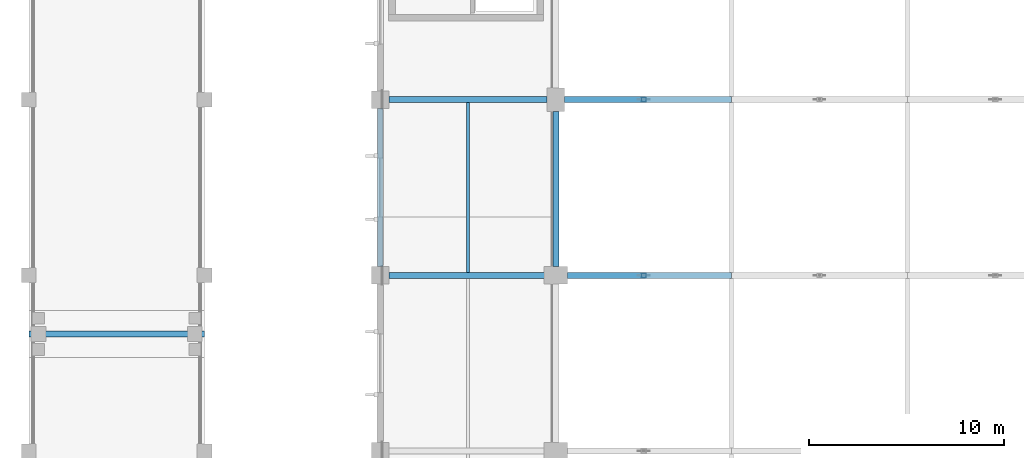
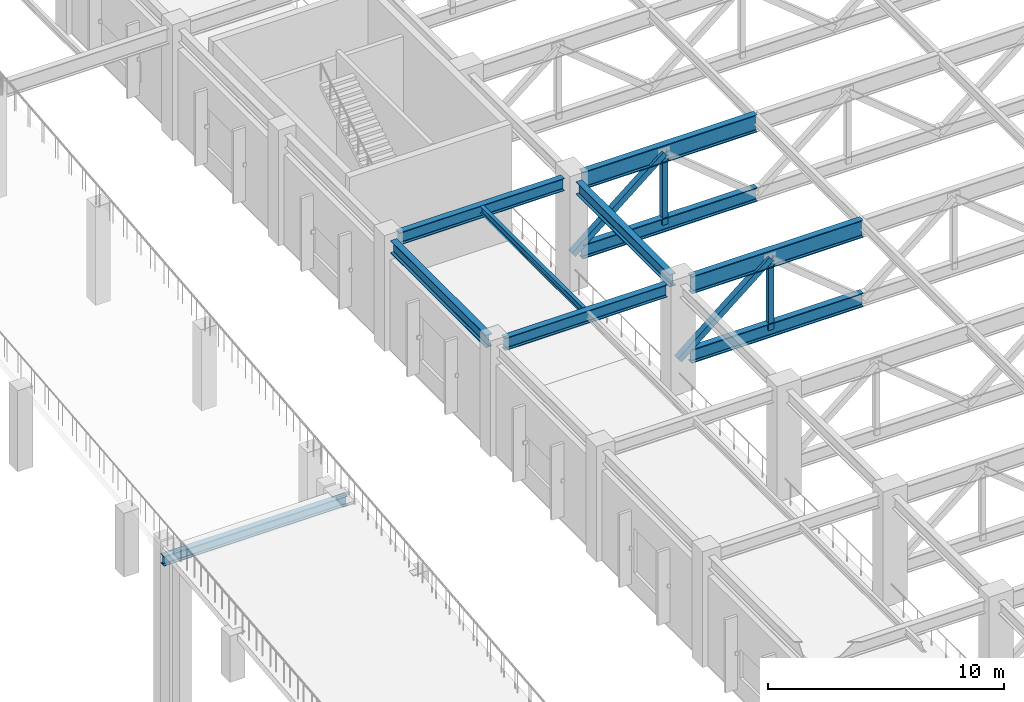
# One storey, part 19 of 223: 10 beams, 4 members.
"""IFC4 building model written with IfcOpenShell, lengths in metres."""

import ifcopenshell
import ifcopenshell.guid

model = None  # the IFC model being written
_history = None  # IfcOwnerHistory: only IFC2X3 demands one
_inside = {}  # id of a spatial element -> (the spatial element, [elements in it])
_under = {}  # id of a project, library or spatial element -> (it, [spatial elements below it])
_declared = {}  # id of a project -> (the project, [libraries it declares])
_typed = {}  # id of a type object -> (the type object, [elements of that type])
_made_of = {}  # id of a material, layer set ... -> (it, [elements and type objects made of it])


def new_model(schema):
    """Start an empty IFC model of exactly this schema.

    Asked for "IFC4X3", IfcOpenShell would pick the latest addendum, in which some entities
    have other attributes; the version numbers below select the first issue.
    IFC2X3 requires an IfcOwnerHistory on every rooted entity: one is made here for all.
    """
    global model, _history
    if schema == "IFC4X3":
        model = ifcopenshell.file(schema_version=(4, 3, 0, 0))
    else:
        model = ifcopenshell.file(schema=schema)
    _inside.clear()
    _under.clear()
    _declared.clear()
    _typed.clear()
    _made_of.clear()
    _history = None
    if model.schema == "IFC2X3":
        org = make("IfcOrganization", Name="unknown")
        user = make(
            "IfcPersonAndOrganization",
            ThePerson=make("IfcPerson", FamilyName="unknown"),
            TheOrganization=org,
        )
        app = make(
            "IfcApplication",
            ApplicationDeveloper=org,
            Version="unknown",
            ApplicationFullName="unknown",
            ApplicationIdentifier="unknown",
        )
        _history = make(
            "IfcOwnerHistory",
            OwningUser=user,
            OwningApplication=app,
            ChangeAction="ADDED",
            CreationDate=0,
        )
    return model


def make(cls, **values):
    """One entity of the class cls with the attributes given. An attribute that is None is left unset."""
    return model.create_entity(
        cls, **{name: value for name, value in values.items() if value is not None}
    )


def rooted(cls, **values):
    """An entity with a GlobalId (a new one), such as an element, a storey or a relation."""
    return make(cls, GlobalId=ifcopenshell.guid.new(), OwnerHistory=_history, **values)


def si_unit(unit_type, name, prefix=None):
    """IfcSIUnit, for example si_unit("LENGTHUNIT", "METRE", prefix="MILLI")."""
    return make("IfcSIUnit", UnitType=unit_type, Prefix=prefix, Name=name)


def assignment(units):
    """IfcUnitAssignment: the units of a project."""
    return None if units is None else make("IfcUnitAssignment", Units=units)


def point(xyz):
    """IfcCartesianPoint."""
    return None if xyz is None else make("IfcCartesianPoint", Coordinates=xyz)


def direction(xyz):
    """IfcDirection."""
    return None if xyz is None else make("IfcDirection", DirectionRatios=xyz)


def frame(location, z_axis=None, x_axis=None):
    """IfcAxis2Placement3D, a coordinate frame: its origin and axes. An axis left out is left unset."""
    return make(
        "IfcAxis2Placement3D",
        Location=point(location),
        Axis=direction(z_axis),
        RefDirection=direction(x_axis),
    )


def frame_2d(location, x_axis=None):
    """IfcAxis2Placement2D, a coordinate frame in the plane: its origin and x axis."""
    return make(
        "IfcAxis2Placement2D", Location=point(location), RefDirection=direction(x_axis)
    )


def origin():
    """The frame at (0, 0, 0) with its axes left unset."""
    return frame((0.0, 0.0, 0.0))


def origin_2d():
    """The frame at (0, 0) in the plane with its x axis left unset."""
    return frame_2d((0.0, 0.0))


def place(relative_to, where):
    """IfcLocalPlacement: puts the frame where relative to a parent placement (None: the world)."""
    return make(
        "IfcLocalPlacement", PlacementRelTo=relative_to, RelativePlacement=where
    )


def context(
    kind, dimensions, precision=None, world=None, true_north=None, identifier=None
):
    """IfcGeometricRepresentationContext, for example the 3D "Model" context."""
    return make(
        "IfcGeometricRepresentationContext",
        ContextIdentifier=identifier,
        ContextType=kind,
        CoordinateSpaceDimension=dimensions,
        Precision=precision,
        WorldCoordinateSystem=world,
        TrueNorth=true_north,
    )


def subcontext(parent, identifier, kind, view, scale=None):
    """IfcGeometricRepresentationSubContext, for example "Body" below "Model"."""
    return make(
        "IfcGeometricRepresentationSubContext",
        ContextIdentifier=identifier,
        ContextType=kind,
        ParentContext=parent,
        TargetScale=scale,
        TargetView=view,
    )


def project(units=None, contexts=None):
    """IfcProject with its units and contexts."""
    return rooted(
        "IfcProject",
        Name="project",
        RepresentationContexts=contexts,
        UnitsInContext=assignment(units),
    )


def spatial(cls, under=None, at=None, **own):
    """A site, building, storey or space (cls), placed at a placement, below another one or the project."""
    s = rooted(cls, ObjectPlacement=at, **own)
    if under is not None:
        _under.setdefault(under.id(), (under, []))[1].append(s)
    return s


def profile(cls, at=None, kind="AREA", **sizes):
    """A parametric profile (cls). Its sizes go by their IFC names, for example OverallWidth=200.0."""
    return make(cls, ProfileType=kind, Position=at, **sizes)


def hollow_rectangle(**sizes):
    """IfcRectangleHollowProfileDef."""
    return profile("IfcRectangleHollowProfileDef", **sizes)


def i_section(**sizes):
    """IfcIShapeProfileDef."""
    return profile("IfcIShapeProfileDef", **sizes)


def extrude(swept, where, along, depth):
    """IfcExtrudedAreaSolid: the profile swept, set in the frame where, extruded along a direction by depth."""
    return make(
        "IfcExtrudedAreaSolid",
        SweptArea=swept,
        Position=where,
        ExtrudedDirection=direction(along),
        Depth=depth,
    )


def shape(context_of_items, identifier, shape_type, items):
    """IfcShapeRepresentation: the items that make up one representation, for example the "Body"."""
    return make(
        "IfcShapeRepresentation",
        ContextOfItems=context_of_items,
        RepresentationIdentifier=identifier,
        RepresentationType=shape_type,
        Items=items,
    )


def material(Name=None, Category=None):
    """IfcMaterial."""
    return make("IfcMaterial", Name=Name, Category=Category)


def material_profile(
    of_material, cross_section, Name=None, Category=None, Priority=None
):
    """IfcMaterialProfile: a cross section and its material."""
    return make(
        "IfcMaterialProfile",
        Name=Name,
        Material=of_material,
        Profile=cross_section,
        Priority=Priority,
        Category=Category,
    )


def profile_set(profiles, Name=None, composite=None):
    """IfcMaterialProfileSet."""
    return make(
        "IfcMaterialProfileSet",
        Name=Name,
        MaterialProfiles=profiles,
        CompositeProfile=composite,
    )


def made_of(thing, what):
    """Note that an element or type object is made of a material, layer set ...; save() writes the relation."""
    if what is not None:
        _made_of.setdefault(what.id(), (what, []))[1].append(thing)
    return thing


def type_object(cls, material=None, **own):
    """A type object (cls), such as IfcWallType, which elements share."""
    return made_of(rooted(cls, **own), material)


def element(
    cls,
    number,
    at=None,
    inside=None,
    cuts=None,
    type_object=None,
    material=None,
    context=None,
    identifier="Body",
    shape_type=None,
    held_by="IfcProductDefinitionShape",
    body=None,
    shapes=None,
    **own,
):
    """One element of the class cls, such as IfcWall. Its Tag is "e" and its number.

    at: its placement. inside: the storey or other place that contains it. cuts: it is an
    opening in that element (IfcRelVoidsElement). A single representation is given by context,
    identifier, shape_type and body (its items); several are given by shapes. held_by: the class
    of the entity that holds the representations. save() writes the other relations.
    """
    e = rooted(cls, Tag="e%d" % number, ObjectPlacement=at, **own)
    if body is not None:
        shapes = [shape(context, identifier, shape_type, body)]
    if shapes is not None:
        e.Representation = make(held_by, Representations=shapes)
    if inside is not None:
        _inside.setdefault(inside.id(), (inside, []))[1].append(e)
    if cuts is not None:
        rooted(
            "IfcRelVoidsElement", RelatingBuildingElement=cuts, RelatedOpeningElement=e
        )
    if type_object is not None:
        _typed.setdefault(type_object.id(), (type_object, []))[1].append(e)
    return made_of(e, material)


def aggregate(whole, parts):
    """IfcRelAggregates: a whole, such as a stair, and the parts it consists of."""
    return rooted("IfcRelAggregates", RelatingObject=whole, RelatedObjects=parts)


def save(model, path):
    """Write the relations noted so far, then the file.

    IfcRelAggregates (storeys below a building ...), IfcRelContainedInSpatialStructure (elements
    in a storey), IfcRelDefinesByType, IfcRelAssociatesMaterial and IfcRelDeclares: one each for
    every whole, place, type object, material and project.
    """
    for whole, parts in _under.values():
        aggregate(whole, parts)
    for where, things in _inside.values():
        rooted(
            "IfcRelContainedInSpatialStructure",
            RelatedElements=things,
            RelatingStructure=where,
        )
    for kind, things in _typed.values():
        rooted("IfcRelDefinesByType", RelatedObjects=things, RelatingType=kind)
    for what, things in _made_of.values():
        rooted("IfcRelAssociatesMaterial", RelatedObjects=things, RelatingMaterial=what)
    for by, libraries in _declared.values():
        rooted("IfcRelDeclares", RelatingContext=by, RelatedDefinitions=libraries)
    model.write(path)


model = new_model("IFC4")

# Units and contexts
model_context = context("Model", 3, precision=1e-05, world=origin(), true_north=direction((0.0, 1.0)))
body_context = subcontext(model_context, "Body", "Model", "MODEL_VIEW")
ifc_project = project(units=[si_unit("LENGTHUNIT", "METRE"), si_unit("AREAUNIT", "SQUARE_METRE"), si_unit("VOLUMEUNIT", "CUBIC_METRE"), si_unit("PLANEANGLEUNIT", "RADIAN"), si_unit("MASSUNIT", "GRAM", prefix="KILO")], contexts=[model_context])

# Site, building, storey
site_placement = place(None, origin())
site = spatial("IfcSite", under=ifc_project, at=site_placement, CompositionType="ELEMENT")
building_placement = place(site_placement, origin())
building = spatial("IfcBuilding", under=site, at=building_placement, Name="Dornveld Trade and Exhibition Forum", CompositionType="ELEMENT")
storey_placement = place(building_placement, frame((0.0, 0.0, 6.0)))
storey = spatial("IfcBuildingStorey", under=building, at=storey_placement, Name="L01", CompositionType="ELEMENT", Elevation=6.0)

# Beams
ifc_material_1 = material(Name="Steel S355J2", Category="steel")
ifc_material_profile_1 = material_profile(ifc_material_1, i_section(OverallWidth=0.300048828125, OverallDepth=0.5, WebThickness=0.014404296875, FlangeThickness=0.028076171875, FilletRadius=0.027099609375, at=origin_2d()), Name="HEB 500")
ifc_profile_set_1 = profile_set([ifc_material_profile_1], Name="Steel S355J2")
beam_type_1 = type_object("IfcBeamType", Name="BM-GIR-HEB500", PredefinedType="USERDEFINED", material=ifc_profile_set_1)
beam_1_placement = place(storey_placement, frame((0.0, 96.0, 2.364990234375), z_axis=(1.0, 0.0, 0.0), x_axis=(0.0, 1.0, 0.0)))
element("IfcBeam", 1, at=beam_1_placement, inside=storey, type_object=beam_type_1, Name="Ramp mid-flight transverse bearing girder 2", ObjectType="GIRDER", PredefinedType="USERDEFINED", context=body_context, shape_type="SweptSolid", body=[
    extrude(i_section(OverallWidth=0.300048828125, OverallDepth=0.5, WebThickness=0.014404296875, FlangeThickness=0.028076171875, FilletRadius=0.027099609375, at=origin_2d()), origin(), (0.0, 0.0, 1.0), 9.0),
])
ifc_material_2 = material(Name="Steel S355J2", Category="steel")
ifc_material_profile_2 = material_profile(ifc_material_2, i_section(OverallWidth=0.300048828125, OverallDepth=0.64990234375, WebThickness=0.01611328125, FlangeThickness=0.031005859375, FilletRadius=0.027099609375, at=origin_2d()), Name="HEB 650")
ifc_profile_set_2 = profile_set([ifc_material_profile_2], Name="Steel S355J2")
beam_type_2 = type_object("IfcBeamType", Name="BM-GIR-HEB650", PredefinedType="USERDEFINED", material=ifc_profile_set_2)
beam_2_placement = place(storey_placement, frame((18.446044921875, 99.0, 5.324951171875), z_axis=(1.0, 0.0, 0.0), x_axis=(0.0, 1.0, 0.0)))
element("IfcBeam", 2, at=beam_2_placement, inside=storey, type_object=beam_type_2, Name="L01 X-girder 1122", ObjectType="GIRDER", PredefinedType="USERDEFINED", context=body_context, shape_type="SweptSolid", body=[
    extrude(i_section(OverallWidth=0.300048828125, OverallDepth=0.64990234375, WebThickness=0.01611328125, FlangeThickness=0.031005859375, FilletRadius=0.027099609375, at=origin_2d()), origin(), (0.0, 0.0, 1.0), 7.9580078125),
])
for number, where, z_axis, x_axis, name in (
    (3, (18.446044921875, 108.0, 5.324951171875), (1.0, 0.0, 0.0), (0.0, 1.0, 0.0), "L01 X-girder 1123"),
    (4, (18.0, 99.446044921875, 5.324951171875), (0.0, 1.0, 0.0), (-1.0, 0.0, 0.0), "L01 Y-girder 1132"),
):
    element("IfcBeam", number, at=place(storey_placement, frame(where, z_axis=z_axis, x_axis=x_axis)), inside=storey, type_object=beam_type_2, Name=name, ObjectType="GIRDER", PredefinedType="USERDEFINED", context=body_context, shape_type="SweptSolid", body=[
        extrude(i_section(OverallWidth=0.300048828125, OverallDepth=0.64990234375, WebThickness=0.01611328125, FlangeThickness=0.031005859375, FilletRadius=0.027099609375, at=origin_2d()), origin(), (0.0, 0.0, 1.0), 8.10791015625),
    ])
beam_3_placement = place(storey_placement, frame((27.0, 99.446044921875, 5.31298828125), z_axis=(0.0, 1.0, 0.0), x_axis=(-1.0, 0.0, 0.0)))
element("IfcBeam", 5, at=beam_3_placement, inside=storey, type_object=beam_type_2, Name="L01 Y-girder 1142", ObjectType="GIRDER", PredefinedType="USERDEFINED", context=body_context, shape_type="SweptSolid", body=[
    extrude(i_section(OverallWidth=0.300048828125, OverallDepth=0.64990234375, WebThickness=0.01611328125, FlangeThickness=0.031005859375, FilletRadius=0.027099609375, at=origin_2d()), origin(), (0.0, 0.0, 1.0), 7.9580078125),
])
ifc_material_3 = material(Name="Steel S355J2", Category="steel")
ifc_material_profile_3 = material_profile(ifc_material_3, i_section(OverallWidth=0.169921875, OverallDepth=0.360107421875, WebThickness=0.008056640625, FlangeThickness=0.0126953125, FilletRadius=0.01806640625, at=origin_2d()), Name="IPE 360")
ifc_profile_set_3 = profile_set([ifc_material_profile_3], Name="Steel S355J2")
beam_type_3 = type_object("IfcBeamType", Name="BM-JOIST-360", PredefinedType="JOIST", material=ifc_profile_set_3)
beam_4_placement = place(storey_placement, frame((22.5, 99.14697265625, 5.469970703125), z_axis=(0.0, 1.0, 0.0), x_axis=(-1.0, 0.0, 0.0)))
element("IfcBeam", 6, at=beam_4_placement, inside=storey, type_object=beam_type_3, Name="L01 secondary joist 1149", PredefinedType="JOIST", context=body_context, shape_type="SweptSolid", body=[
    extrude(i_section(OverallWidth=0.169921875, OverallDepth=0.360107421875, WebThickness=0.008056640625, FlangeThickness=0.0126953125, FilletRadius=0.01806640625, at=origin_2d()), origin(), (0.0, 0.0, 1.0), 8.7060546875),
])
ifc_material_4 = material(Name="Steel S355J2", Category="steel")
ifc_material_profile_4 = material_profile(ifc_material_4, i_section(OverallWidth=0.303955078125, OverallDepth=0.716064453125, WebThickness=0.02099609375, FlangeThickness=0.0400390625, FilletRadius=0.027099609375, at=origin_2d()), Name="HEM 700")
ifc_profile_set_4 = profile_set([ifc_material_profile_4], Name="Steel S355J2")
beam_type_4 = type_object("IfcBeamType", Name="BM-TG-BOT700", PredefinedType="USERDEFINED", material=ifc_profile_set_4)
beam_5_placement = place(storey_placement, frame((27.595947265625, 99.0, 1.5), z_axis=(1.0, 0.0, 0.0), x_axis=(0.0, 1.0, 0.0)))
element("IfcBeam", 7, at=beam_5_placement, inside=storey, type_object=beam_type_4, Name="Hall 3 transfer truss 7 bottom chord 1", ObjectType="GIRDER", PredefinedType="USERDEFINED", context=body_context, shape_type="SweptSolid", body=[
    extrude(i_section(OverallWidth=0.303955078125, OverallDepth=0.716064453125, WebThickness=0.02099609375, FlangeThickness=0.0400390625, FilletRadius=0.027099609375, at=origin_2d()), origin(), (0.0, 0.0, 1.0), 8.404052734375),
])
beam_6_placement = place(storey_placement, frame((27.446044921875, 108.0, 1.5), z_axis=(1.0, 0.0, 0.0), x_axis=(0.0, 1.0, 0.0)))
element("IfcBeam", 8, at=beam_6_placement, inside=storey, type_object=beam_type_4, Name="Hall 3 transfer truss 8 bottom chord 1", ObjectType="GIRDER", PredefinedType="USERDEFINED", context=body_context, shape_type="SweptSolid", body=[
    extrude(i_section(OverallWidth=0.303955078125, OverallDepth=0.716064453125, WebThickness=0.02099609375, FlangeThickness=0.0400390625, FilletRadius=0.027099609375, at=origin_2d()), origin(), (0.0, 0.0, 1.0), 8.553955078125),
])
ifc_material_5 = material(Name="Steel S355J2", Category="steel")
ifc_material_profile_5 = material_profile(ifc_material_5, i_section(OverallWidth=0.302001953125, OverallDepth=0.909912109375, WebThickness=0.02099609375, FlangeThickness=0.0400390625, FilletRadius=0.030029296875, at=origin_2d()), Name="HEM 900")
ifc_profile_set_5 = profile_set([ifc_material_profile_5], Name="Steel S355J2")
beam_type_5 = type_object("IfcBeamType", Name="BM-TG-TOP900", PredefinedType="USERDEFINED", material=ifc_profile_set_5)
beam_7_placement = place(storey_placement, frame((27.595947265625, 99.0, 5.18505859375), z_axis=(1.0, 0.0, 0.0), x_axis=(0.0, 1.0, 0.0)))
element("IfcBeam", 9, at=beam_7_placement, inside=storey, type_object=beam_type_5, Name="Hall 3 transfer truss 7 top chord 1", ObjectType="GIRDER", PredefinedType="USERDEFINED", context=body_context, shape_type="SweptSolid", body=[
    extrude(i_section(OverallWidth=0.302001953125, OverallDepth=0.909912109375, WebThickness=0.02099609375, FlangeThickness=0.0400390625, FilletRadius=0.030029296875, at=origin_2d()), origin(), (0.0, 0.0, 1.0), 8.404052734375),
])
beam_8_placement = place(storey_placement, frame((27.446044921875, 108.0, 5.18505859375), z_axis=(1.0, 0.0, 0.0), x_axis=(0.0, 1.0, 0.0)))
element("IfcBeam", 10, at=beam_8_placement, inside=storey, type_object=beam_type_5, Name="Hall 3 transfer truss 8 top chord 1", ObjectType="GIRDER", PredefinedType="USERDEFINED", context=body_context, shape_type="SweptSolid", body=[
    extrude(i_section(OverallWidth=0.302001953125, OverallDepth=0.909912109375, WebThickness=0.02099609375, FlangeThickness=0.0400390625, FilletRadius=0.030029296875, at=origin_2d()), origin(), (0.0, 0.0, 1.0), 8.553955078125),
])

# Members
ifc_material_6 = material(Name="Steel S355J2", Category="steel")
ifc_material_profile_6 = material_profile(ifc_material_6, hollow_rectangle(XDim=0.25, YDim=0.25, WallThickness=0.012451171875, at=origin_2d()), Name="SHS 250x250x12.5")
ifc_profile_set_6 = profile_set([ifc_material_profile_6], Name="Steel S355J2")
member_type_1 = type_object("IfcMemberType", Name="MEM-XFER-STR", PredefinedType="STRUT", material=ifc_profile_set_6)
for number, where, z_axis, x_axis, name in (
    (11, (31.5, 99.0, 1.5), (0.0, 0.0, 1.0), (1.0, 0.0, 0.0), "Transfer truss 7 strut 111"),
    (12, (31.5, 108.0, 1.5), (0.0, 0.0, 1.0), (1.0, 0.0, 0.0), "Transfer truss 8 strut 129"),
):
    element("IfcMember", number, at=place(storey_placement, frame(where, z_axis=z_axis, x_axis=x_axis)), inside=storey, type_object=member_type_1, Name=name, PredefinedType="STRUT", context=body_context, shape_type="SweptSolid", body=[
        extrude(hollow_rectangle(XDim=0.25, YDim=0.25, WallThickness=0.012451171875, at=origin_2d()), origin(), (0.0, 0.0, 1.0), 3.68505859375),
    ])
ifc_material_7 = material(Name="Steel S355J2", Category="steel")
ifc_material_profile_7 = material_profile(ifc_material_7, hollow_rectangle(XDim=0.300048828125, YDim=0.300048828125, WallThickness=0.01611328125, at=origin_2d()), Name="SHS 300x300x16")
ifc_profile_set_7 = profile_set([ifc_material_profile_7], Name="Steel S355J2")
member_type_2 = type_object("IfcMemberType", Name="MEM-XFER-WEB", PredefinedType="BRACE", material=ifc_profile_set_7)
for number, where, z_axis, x_axis, name in (
    (13, (27.0, 99.0, 1.5), (0.773684181611, 0.0, 0.633571453843), (0.0, 1.0, 0.0), "Transfer truss 7 web 109"),
    (14, (27.0, 108.0, 1.5), (0.773684181611, 0.0, 0.633571453843), (0.0, 1.0, 0.0), "Transfer truss 8 web 127"),
):
    element("IfcMember", number, at=place(storey_placement, frame(where, z_axis=z_axis, x_axis=x_axis)), inside=storey, type_object=member_type_2, Name=name, PredefinedType="BRACE", context=body_context, shape_type="SweptSolid", body=[
        extrude(hollow_rectangle(XDim=0.300048828125, YDim=0.300048828125, WallThickness=0.01611328125, at=origin_2d()), origin(), (0.0, 0.0, 1.0), 5.81640625),
    ])

save(model, "model.ifc")
